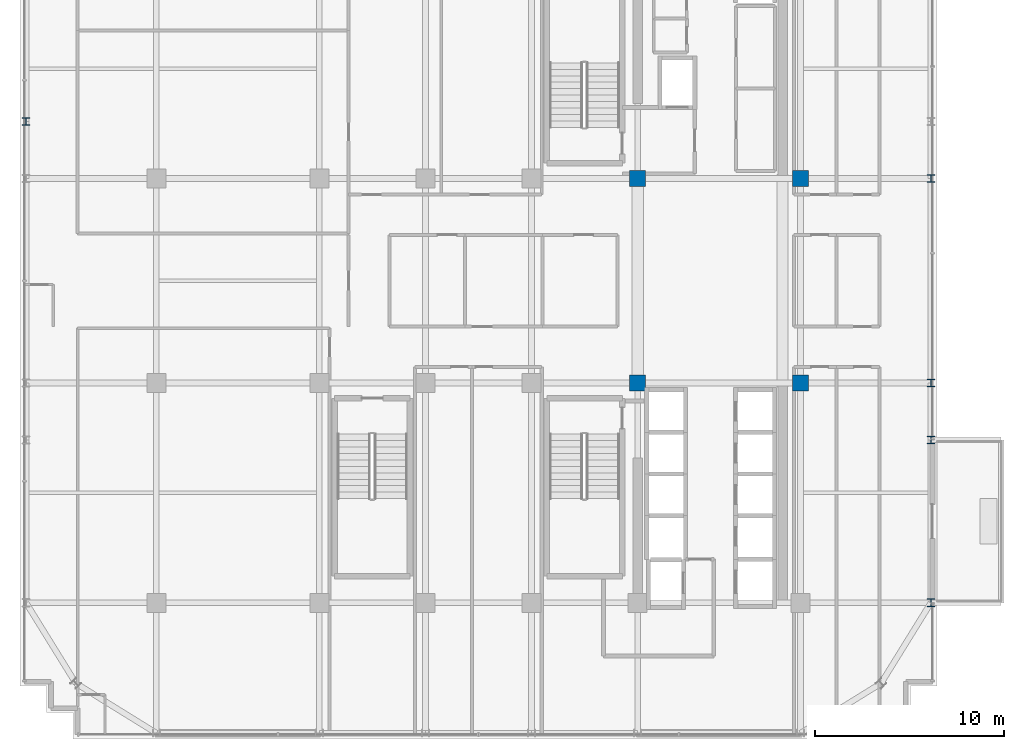
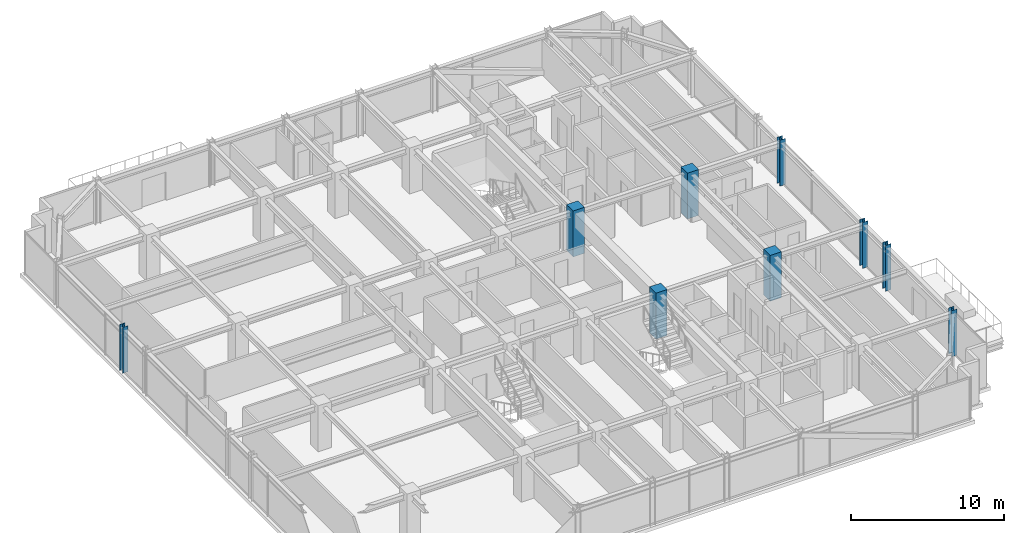
# One storey, part 2 of 36: 9 columns.
"""IFC4 building model written with IfcOpenShell, lengths in metres."""

from ifc_helpers import new_model, si_unit, direction, frame, origin, origin_2d, place, context, subcontext, project, spatial, rectangle, i_section, extrude, source, transform, mapped, material, material_profile, profile_set, type_object, element, save


model = new_model("IFC4")

# Units and contexts
model_context = context("Model", 3, precision=1e-05, world=origin(), true_north=direction((0.0, 1.0)))
body_context = subcontext(model_context, "Body", "Model", "MODEL_VIEW")
ifc_project = project(units=[si_unit("LENGTHUNIT", "METRE"), si_unit("AREAUNIT", "SQUARE_METRE"), si_unit("VOLUMEUNIT", "CUBIC_METRE"), si_unit("PLANEANGLEUNIT", "RADIAN"), si_unit("MASSUNIT", "GRAM", prefix="KILO")], contexts=[model_context])

# Site, building, storey
site_placement = place(None, origin())
site = spatial("IfcSite", under=ifc_project, at=site_placement, CompositionType="ELEMENT")
building_placement = place(site_placement, origin())
building = spatial("IfcBuilding", under=site, at=building_placement, Name="Nahalor Promenade Grand Hotel", CompositionType="ELEMENT")
storey_placement = place(building_placement, frame((0.0, 0.0, 219.699951171875)))
storey = spatial("IfcBuildingStorey", under=building, at=storey_placement, Name="L56", CompositionType="ELEMENT", Elevation=219.699951171875)

# Columns
ifc_material_1 = material(Name="Concrete B-70 (C60/75)", Category="concrete")
ifc_material_profile_1 = material_profile(ifc_material_1, rectangle(XDim=0.85, YDim=0.85, at=origin_2d()), Name="RC 850x850")
ifc_profile_set_1 = profile_set([ifc_material_profile_1], Name="Concrete B-70 (C60/75)")
column_type_1 = type_object("IfcColumnType", Name="Col-Pilaster-850", PredefinedType="PILASTER", material=ifc_profile_set_1)
shared_shape_1 = source(origin(), body_context, "Body", "SweptSolid", [
    extrude(rectangle(XDim=0.85, YDim=0.85, at=origin_2d()), origin(), (0.0, 0.0, 1.0), 3.655029296875),
])
for number, where, z_axis, x_axis, name in (
    (1, (8.39990234375, -5.39990234375, 0.0), (0.0, 0.0, 1.0), (1.0, 0.0, 0.0), "COL-L56-I41"),
    (2, (8.39990234375, 5.39990234375, 0.0), (0.0, 0.0, 1.0), (1.0, 0.0, 0.0), "COL-L56-I42"),
    (3, (17.0, -5.39990234375, 0.0), (0.0, 0.0, 1.0), (1.0, 0.0, 0.0), "COL-L56-I51"),
    (4, (17.0, 5.39990234375, 0.0), (0.0, 0.0, 1.0), (1.0, 0.0, 0.0), "COL-L56-I52"),
):
    element("IfcColumn", number, at=place(storey_placement, frame(where, z_axis=z_axis, x_axis=x_axis)), inside=storey, type_object=column_type_1, Name=name, PredefinedType="PILASTER", context=body_context, shape_type="MappedRepresentation", body=[
        mapped(shared_shape_1, transform((0.0, 0.0, 0.0), scale=1.0)),
    ])
ifc_material_2 = material(Name="Steel S355JR", Category="steel")
ifc_material_profile_2 = material_profile(ifc_material_2, i_section(OverallWidth=0.401, OverallDepth=0.406, WebThickness=0.0161, FlangeThickness=0.025, at=origin_2d()), Name="HD 400x314")
ifc_profile_set_2 = profile_set([ifc_material_profile_2], Name="Steel S355JR")
column_type_2 = type_object("IfcColumnType", Name="Col-Steel-HD314", PredefinedType="COLUMN", material=ifc_profile_set_2)
shared_shape_2 = source(origin(), body_context, "Body", "SweptSolid", [
    extrude(i_section(OverallWidth=0.401, OverallDepth=0.406, WebThickness=0.0161, FlangeThickness=0.025, at=origin_2d()), origin(), (0.0, 0.0, 1.0), 3.655029296875),
])
for number, where, z_axis, x_axis, name in (
    (5, (23.8798828125, -17.0, 0.0), (0.0, 0.0, 1.0), (1.0, 0.0, 0.0), "COL-L56-PW-E0"),
    (6, (23.8798828125, -8.39990234375, 0.0), (0.0, 0.0, 1.0), (1.0, 0.0, 0.0), "COL-L56-PW-E1"),
    (7, (23.8798828125, -5.39990234375, 0.0), (0.0, 0.0, 1.0), (1.0, 0.0, 0.0), "COL-L56-PW-E2"),
    (8, (23.8798828125, 5.39990234375, 0.0), (0.0, 0.0, 1.0), (1.0, 0.0, 0.0), "COL-L56-PW-E3"),
    (9, (-23.8798828125, 8.39990234375, 0.0), (0.0, 0.0, 1.0), (1.0, 0.0, 0.0), "COL-L56-PW-W4"),
):
    element("IfcColumn", number, at=place(storey_placement, frame(where, z_axis=z_axis, x_axis=x_axis)), inside=storey, type_object=column_type_2, Name=name, PredefinedType="COLUMN", context=body_context, shape_type="MappedRepresentation", body=[
        mapped(shared_shape_2, transform((0.0, 0.0, 0.0), scale=1.0)),
    ])

save(model, "model.ifc")
